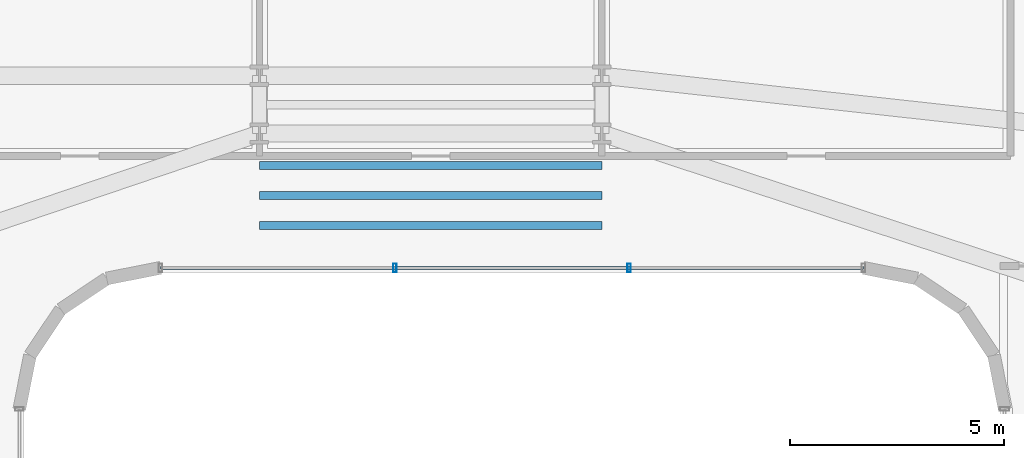
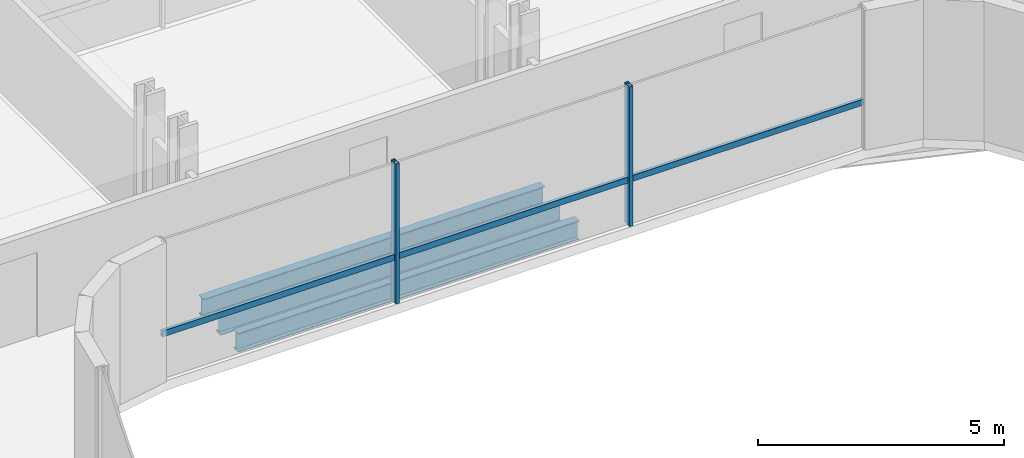
# One storey, part 15 of 39: 3 beams, 3 members, 1 element without a shape of its own.
"""IFC4 building model written with IfcOpenShell, lengths in metres."""

from ifc_helpers import new_model, si_unit, direction, frame, origin, origin_2d, place, context, subcontext, project, spatial, hollow_rectangle, i_section, extrude, source, transform, mapped, material, material_profile, profile_set, type_object, element, aggregate, save


model = new_model("IFC4")

# Units and contexts
model_context = context("Model", 3, precision=1e-05, world=origin(), true_north=direction((0.0, 1.0)))
body_context = subcontext(model_context, "Body", "Model", "MODEL_VIEW")
ifc_project = project(units=[si_unit("LENGTHUNIT", "METRE"), si_unit("AREAUNIT", "SQUARE_METRE"), si_unit("VOLUMEUNIT", "CUBIC_METRE"), si_unit("PLANEANGLEUNIT", "RADIAN"), si_unit("MASSUNIT", "GRAM", prefix="KILO")], contexts=[model_context])

# Site, building, storey
site_placement = place(None, origin())
site = spatial("IfcSite", under=ifc_project, at=site_placement, CompositionType="ELEMENT")
building_placement = place(site_placement, origin())
building = spatial("IfcBuilding", under=site, at=building_placement, Name="Valdorenza Pilgrim Sanctuary Tower", CompositionType="ELEMENT")
storey_placement = place(building_placement, frame((0.0, 0.0, 33.39990234375)))
storey = spatial("IfcBuildingStorey", under=building, at=storey_placement, Name="L07", CompositionType="ELEMENT", Elevation=33.39990234375)

# Beams
ifc_material_1 = material(Name="Steel ASTM A992 Grade 50", Category="steel")
ifc_material_profile_1 = material_profile(ifc_material_1, i_section(OverallWidth=0.193115234375, OverallDepth=0.466064453125, WebThickness=0.011474609375, FlangeThickness=0.01904296875, at=origin_2d()), Name="W18X65")
ifc_profile_set_1 = profile_set([ifc_material_profile_1], Name="Steel ASTM A992 Grade 50")
beam_type = type_object("IfcBeamType", Name="STR-BM-JST-W18A", PredefinedType="JOIST", material=ifc_profile_set_1)
shared_shape_1 = source(origin(), body_context, "Body", "SweptSolid", [
    extrude(i_section(OverallWidth=0.193115234375, OverallDepth=0.466064453125, WebThickness=0.011474609375, FlangeThickness=0.01904296875, at=origin_2d()), origin(), (0.0, 0.0, 1.0), 8.0),
])
for number, where, z_axis, x_axis, name in (
    (1, (-4.0, 11.300048828125, -0.472900390625), (1.0, 0.0, 0.0), (0.0, 1.0, 0.0), "L07 Knuckle Composite Joist JST-KNK-1"),
    (2, (-4.0, 12.0, -0.472900390625), (1.0, 0.0, 0.0), (0.0, 1.0, 0.0), "L07 Knuckle Composite Joist JST-KNK-2"),
    (3, (-4.0, 12.699951171875, -0.472900390625), (1.0, 0.0, 0.0), (0.0, 1.0, 0.0), "L07 Knuckle Composite Joist JST-KNK-3"),
):
    element("IfcBeam", number, at=place(storey_placement, frame(where, z_axis=z_axis, x_axis=x_axis)), inside=storey, type_object=beam_type, Name=name, PredefinedType="JOIST", context=body_context, shape_type="MappedRepresentation", body=[
        mapped(shared_shape_1, transform((0.0, 0.0, 0.0), x_axis=(1.0, 0.0, 0.0), y_axis=(0.0, 1.0, 0.0), z_axis=(0.0, 0.0, 1.0), scale=1.0)),
    ])

# Curtain wall, members
ifc_material_2 = material(Name="Curtain-wall IGU glazing", Category="glass")
curtain_wall_type = type_object("IfcCurtainWallType", Name="CW-SYS-02", PredefinedType="NOTDEFINED", material=ifc_material_2)
curtain_wall_placement = place(storey_placement, origin())
curtain_wall = element("IfcCurtainWall", 4, at=curtain_wall_placement, inside=storey, type_object=curtain_wall_type, Name="L07 Curtain Wall CW-L07-1-36", PredefinedType="NOTDEFINED")
ifc_material_3 = material(Name="Anodised aluminium AW-6060", Category="aluminium")
ifc_material_profile_2 = material_profile(ifc_material_3, hollow_rectangle(XDim=0.074951171875, YDim=0.14990234375, WallThickness=0.00390625, at=origin_2d()), Name="ALU-T 150x75x4")
ifc_profile_set_2 = profile_set([ifc_material_profile_2], Name="Anodised aluminium AW-6060")
member_type_1 = type_object("IfcMemberType", Name="CW-TRN-02", PredefinedType="USERDEFINED", material=ifc_profile_set_2)
shared_shape_2 = source(origin(), body_context, "Body", "SweptSolid", [
    extrude(hollow_rectangle(XDim=0.074951171875, YDim=0.14990234375, WallThickness=0.00390625, at=origin_2d()), origin(), (0.0, 0.0, 1.0), 16.421630859375),
])
member_1_placement = place(storey_placement, frame((10.11083984375, 10.31005859375, 1.1201171875), z_axis=(-1.0, 0.0, 0.0), x_axis=(0.0, -1.0, 0.0)))
member_1 = element("IfcMember", 5, at=member_1_placement, type_object=member_type_1, Name="CW-L07-1-36 Transom 1", ObjectType="TRANSOM", PredefinedType="USERDEFINED", context=body_context, shape_type="MappedRepresentation", body=[
    mapped(shared_shape_2, transform((0.0, 0.0, 0.0), x_axis=(1.0, 0.0, 0.0), y_axis=(0.0, 1.0, 0.0), z_axis=(0.0, 0.0, 1.0), scale=1.0)),
])
ifc_material_profile_3 = material_profile(ifc_material_3, hollow_rectangle(XDim=0.0849609375, YDim=0.199951171875, WallThickness=0.0048828125, at=origin_2d()), Name="ALU-M 200x85x5")
ifc_profile_set_3 = profile_set([ifc_material_profile_3], Name="Anodised aluminium AW-6060")
member_type_2 = type_object("IfcMemberType", Name="CW-MUL-02", PredefinedType="MULLION", material=ifc_profile_set_3)
shared_shape_3 = source(origin(), body_context, "Body", "SweptSolid", [
    extrude(hollow_rectangle(XDim=0.0849609375, YDim=0.199951171875, WallThickness=0.0048828125, at=origin_2d()), origin(), (0.0, 0.0, 1.0), 3.460205078125),
])
member_2_placement = place(storey_placement, frame((4.636962890625, 10.31005859375, 0.0), z_axis=(0.0, 0.0, 1.0), x_axis=(-1.0, 0.0, 0.0)))
member_2 = element("IfcMember", 6, at=member_2_placement, type_object=member_type_2, Name="CW-L07-1-36 Mullion 2", PredefinedType="MULLION", context=body_context, shape_type="MappedRepresentation", body=[
    mapped(shared_shape_3, transform((0.0, 0.0, 0.0), x_axis=(1.0, 0.0, 0.0), y_axis=(0.0, 1.0, 0.0), z_axis=(0.0, 0.0, 1.0), scale=1.0)),
])
member_3_placement = place(storey_placement, frame((-0.8369140625, 10.31005859375, 0.0), z_axis=(0.0, 0.0, 1.0), x_axis=(-1.0, 0.0, 0.0)))
member_3 = element("IfcMember", 7, at=member_3_placement, type_object=member_type_2, Name="CW-L07-1-36 Mullion 3", PredefinedType="MULLION", context=body_context, shape_type="MappedRepresentation", body=[
    mapped(shared_shape_3, transform((0.0, 0.0, 0.0), x_axis=(1.0, 0.0, 0.0), y_axis=(0.0, 1.0, 0.0), z_axis=(0.0, 0.0, 1.0), scale=1.0)),
])
aggregate(curtain_wall, [member_2, member_3, member_1])

save(model, "model.ifc")
